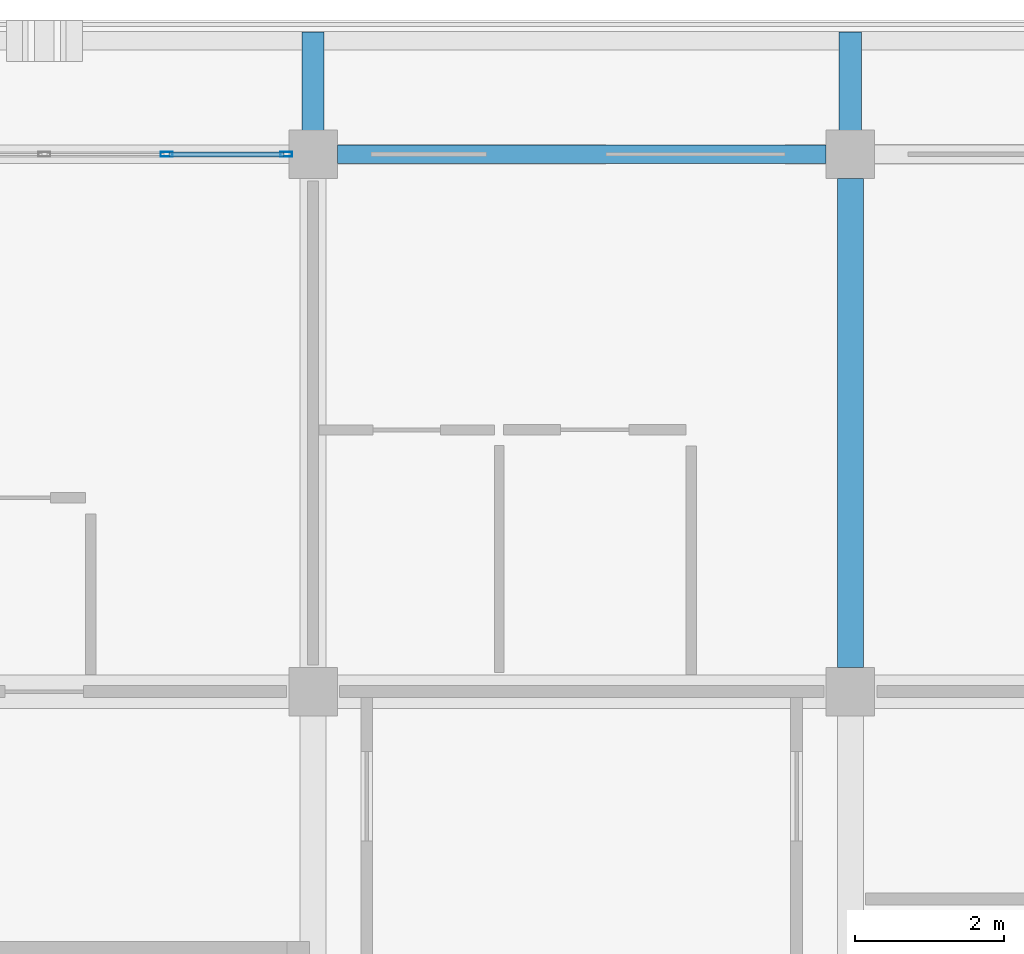
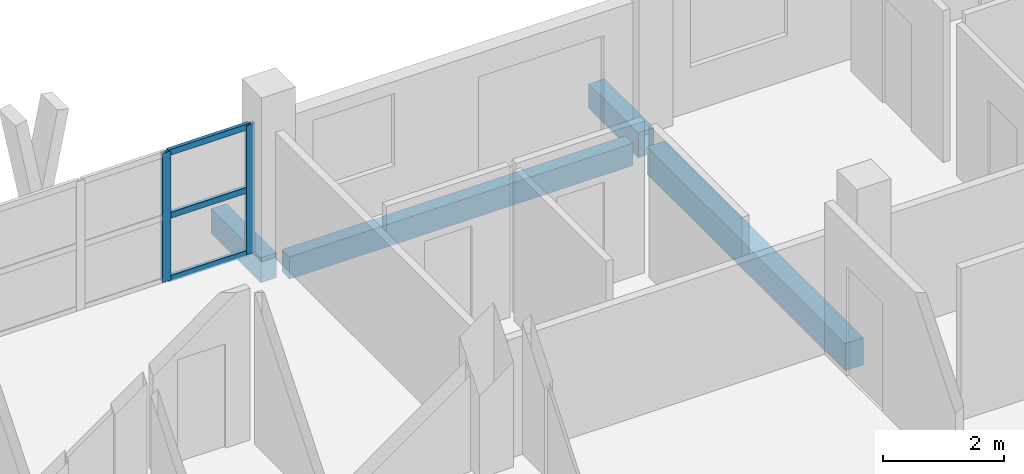
# One storey, part 18 of 75: 5 members, 4 beams, 1 element without a shape of its own.
"""IFC4 building model written with IfcOpenShell, lengths in metres."""

from ifc_helpers import new_model, si_unit, direction, frame, origin, origin_2d, place, context, subcontext, project, spatial, rectangle, hollow_rectangle, extrude, material, material_profile, profile_set, type_object, element, aggregate, save


model = new_model("IFC4")

# Units and contexts
model_context = context("Model", 3, precision=1e-05, world=origin(), true_north=direction((0.0, 1.0)))
body_context = subcontext(model_context, "Body", "Model", "MODEL_VIEW")
ifc_project = project(units=[si_unit("LENGTHUNIT", "METRE"), si_unit("AREAUNIT", "SQUARE_METRE"), si_unit("VOLUMEUNIT", "CUBIC_METRE"), si_unit("PLANEANGLEUNIT", "RADIAN"), si_unit("MASSUNIT", "GRAM", prefix="KILO")], contexts=[model_context])

# Site, building, storey
site_placement = place(None, origin())
site = spatial("IfcSite", under=ifc_project, at=site_placement, CompositionType="ELEMENT")
building_placement = place(site_placement, origin())
building = spatial("IfcBuilding", under=site, at=building_placement, Name="Suanplinth Sawtooth Commons", CompositionType="ELEMENT")
storey_placement = place(building_placement, frame((0.0, 0.0, 18.60009765625)))
storey = spatial("IfcBuildingStorey", under=building, at=storey_placement, Name="L05", CompositionType="ELEMENT", Elevation=18.60009765625)

# Beams
ifc_material_1 = material(Name="Precast concrete C40/50", Category="concrete")
ifc_material_profile_1 = material_profile(ifc_material_1, rectangle(XDim=0.35009765625, YDim=0.550048828125, at=origin_2d()), Name="PC-BM 350x550")
ifc_profile_set_1 = profile_set([ifc_material_profile_1], Name="Precast concrete C40/50")
beam_type_1 = type_object("IfcBeamType", Name="B-06", PredefinedType="BEAM", material=ifc_profile_set_1)
beam_1_placement = place(storey_placement, frame((72.0, 115.52490234375, -0.525146484375), z_axis=(0.0, 1.0, 0.0), x_axis=(-1.0, 0.0, 0.0)))
element("IfcBeam", 1, at=beam_1_placement, inside=storey, type_object=beam_type_1, Name="BMY-L05-A-10-16", PredefinedType="BEAM", context=body_context, shape_type="SweptSolid", body=[
    extrude(rectangle(XDim=0.35009765625, YDim=0.550048828125, at=origin_2d()), origin(), (0.0, 0.0, 1.0), 6.550048828125),
])
ifc_material_profile_2 = material_profile(ifc_material_1, rectangle(XDim=0.300048828125, YDim=0.5, at=origin_2d()), Name="PC-BM 300x500")
ifc_profile_set_2 = profile_set([ifc_material_profile_2], Name="Precast concrete C40/50")
beam_type_2 = type_object("IfcBeamType", Name="B-07", PredefinedType="BEAM", material=ifc_profile_set_2)
for number, where, z_axis, x_axis, name in (
    (2, (64.800048828125, 122.39990234375, -0.43017578125), (0.0, 1.0, 0.0), (-1.0, 0.0, 0.0), "Balcony Outrigger L05-A-N-9"),
    (3, (72.0, 122.39990234375, -0.43017578125), (0.0, 1.0, 0.0), (-1.0, 0.0, 0.0), "Balcony Outrigger L05-A-N-10"),
):
    element("IfcBeam", number, at=place(storey_placement, frame(where, z_axis=z_axis, x_axis=x_axis)), inside=storey, type_object=beam_type_2, Name=name, PredefinedType="BEAM", context=body_context, shape_type="SweptSolid", body=[
        extrude(rectangle(XDim=0.300048828125, YDim=0.5, at=origin_2d()), origin(), (0.0, 0.0, 1.0), 1.64013671875),
    ])
ifc_material_profile_3 = material_profile(ifc_material_1, rectangle(XDim=0.25, YDim=0.449951171875, at=origin_2d()), Name="PC-SP 250x450")
ifc_profile_set_3 = profile_set([ifc_material_profile_3], Name="Precast concrete C40/50")
beam_type_3 = type_object("IfcBeamType", Name="B-09", PredefinedType="SPANDREL", material=ifc_profile_set_3)
beam_2_placement = place(storey_placement, frame((65.125, 122.39990234375, -0.47509765625), z_axis=(1.0, 0.0, 0.0), x_axis=(0.0, 1.0, 0.0)))
element("IfcBeam", 4, at=beam_2_placement, inside=storey, type_object=beam_type_3, Name="BMX-L05-A-9-17", PredefinedType="SPANDREL", context=body_context, shape_type="SweptSolid", body=[
    extrude(rectangle(XDim=0.25, YDim=0.449951171875, at=origin_2d()), origin(), (0.0, 0.0, 1.0), 6.550048828125),
])

# Curtain wall, members
ifc_material_2 = material(Name="Anodized aluminium and low-E glazing", Category="aluminium")
curtain_wall_type = type_object("IfcCurtainWallType", Name="CW-06", PredefinedType="USERDEFINED", material=ifc_material_2)
curtain_wall_placement = place(storey_placement, origin())
curtain_wall = element("IfcCurtainWall", 5, at=curtain_wall_placement, inside=storey, type_object=curtain_wall_type, Name="Curtain Wall CW-L05-A-LOUNGE-8", ObjectType="CURTAIN WALL", PredefinedType="USERDEFINED")
ifc_material_3 = material(Name="Anodized aluminium 6063-T6", Category="aluminium")
ifc_material_profile_4 = material_profile(ifc_material_3, hollow_rectangle(XDim=0.06494140625, YDim=0.159912109375, WallThickness=0.00390625, at=origin_2d()), Name="ALU-MUL 65x160")
ifc_profile_set_4 = profile_set([ifc_material_profile_4], Name="Anodized aluminium 6063-T6")
member_type_1 = type_object("IfcMemberType", Name="M-13", PredefinedType="MULLION", material=ifc_profile_set_4)
member_1_placement = place(storey_placement, frame((62.83740234375, 122.39990234375, 0.0), z_axis=(0.0, 0.0, 1.0), x_axis=(0.0, 1.0, 0.0)))
member_1 = element("IfcMember", 6, at=member_1_placement, type_object=member_type_1, Name="CW-06 mullion 4", PredefinedType="MULLION", context=body_context, shape_type="SweptSolid", body=[
    extrude(hollow_rectangle(XDim=0.06494140625, YDim=0.159912109375, WallThickness=0.00390625, at=origin_2d()), origin(), (0.0, 0.0, 1.0), 2.60986328125),
])
member_2_placement = place(storey_placement, frame((64.4423828125, 122.39990234375, 0.0), z_axis=(0.0, 0.0, 1.0), x_axis=(0.0, 1.0, 0.0)))
member_2 = element("IfcMember", 7, at=member_2_placement, type_object=member_type_1, Name="CW-06 mullion 5", PredefinedType="MULLION", context=body_context, shape_type="SweptSolid", body=[
    extrude(hollow_rectangle(XDim=0.06494140625, YDim=0.159912109375, WallThickness=0.00390625, at=origin_2d()), origin(), (0.0, 0.0, 1.0), 2.60986328125),
])
ifc_material_profile_5 = material_profile(ifc_material_3, hollow_rectangle(XDim=0.06494140625, YDim=0.1201171875, WallThickness=0.00390625, at=origin_2d()), Name="ALU-TRN 65x120")
ifc_profile_set_5 = profile_set([ifc_material_profile_5], Name="Anodized aluminium 6063-T6")
member_type_2 = type_object("IfcMemberType", Name="M-15", PredefinedType="USERDEFINED", material=ifc_profile_set_5)
member_3_placement = place(storey_placement, frame((62.8701171875, 122.39990234375, 0.032470703125), z_axis=(1.0, 0.0, 0.0), x_axis=(0.0, 1.0, 0.0)))
member_3 = element("IfcMember", 8, at=member_3_placement, type_object=member_type_2, Name="CW-06 transom 4.1", ObjectType="TRANSOM", PredefinedType="USERDEFINED", context=body_context, shape_type="SweptSolid", body=[
    extrude(hollow_rectangle(XDim=0.06494140625, YDim=0.1201171875, WallThickness=0.00390625, at=origin_2d()), origin(), (0.0, 0.0, 1.0), 1.539794921875),
])
member_4_placement = place(storey_placement, frame((62.8701171875, 122.39990234375, 1.304931640625), z_axis=(1.0, 0.0, 0.0), x_axis=(0.0, 1.0, 0.0)))
member_4 = element("IfcMember", 9, at=member_4_placement, type_object=member_type_2, Name="CW-06 transom 4.2", ObjectType="TRANSOM", PredefinedType="USERDEFINED", context=body_context, shape_type="SweptSolid", body=[
    extrude(hollow_rectangle(XDim=0.06494140625, YDim=0.1201171875, WallThickness=0.00390625, at=origin_2d()), origin(), (0.0, 0.0, 1.0), 1.539794921875),
])
member_5_placement = place(storey_placement, frame((62.8701171875, 122.39990234375, 2.577392578125), z_axis=(1.0, 0.0, 0.0), x_axis=(0.0, 1.0, 0.0)))
member_5 = element("IfcMember", 10, at=member_5_placement, type_object=member_type_2, Name="CW-06 transom 4.3", ObjectType="TRANSOM", PredefinedType="USERDEFINED", context=body_context, shape_type="SweptSolid", body=[
    extrude(hollow_rectangle(XDim=0.06494140625, YDim=0.1201171875, WallThickness=0.00390625, at=origin_2d()), origin(), (0.0, 0.0, 1.0), 1.539794921875),
])
aggregate(curtain_wall, [member_1, member_2, member_3, member_4, member_5])

save(model, "model.ifc")
